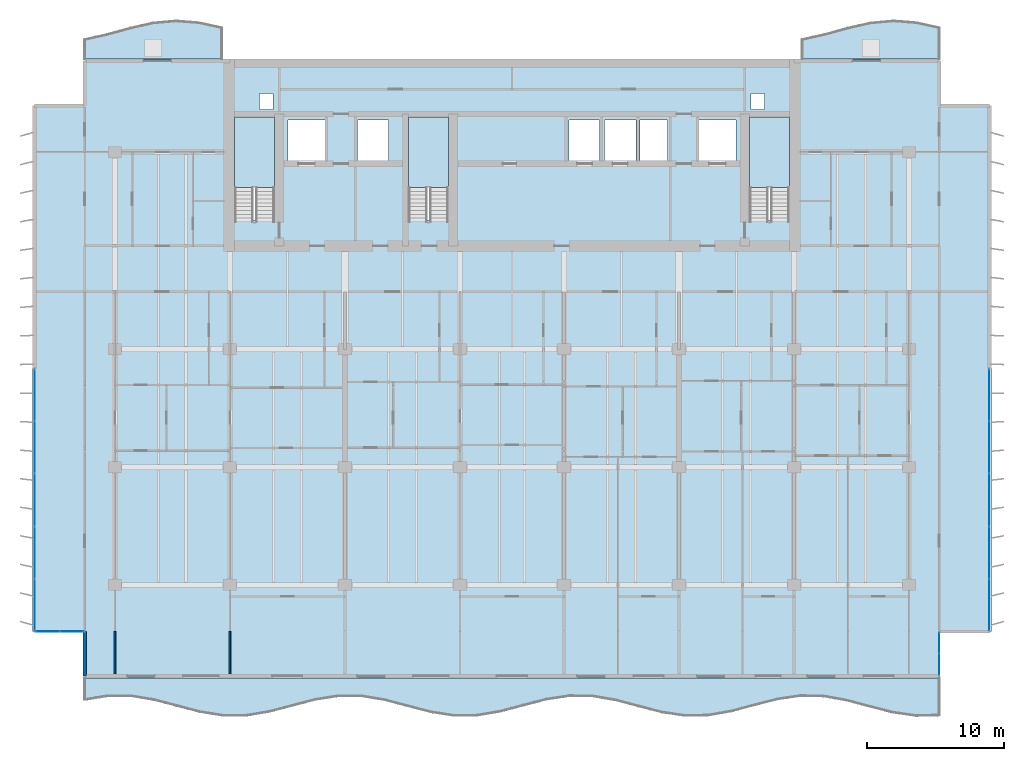
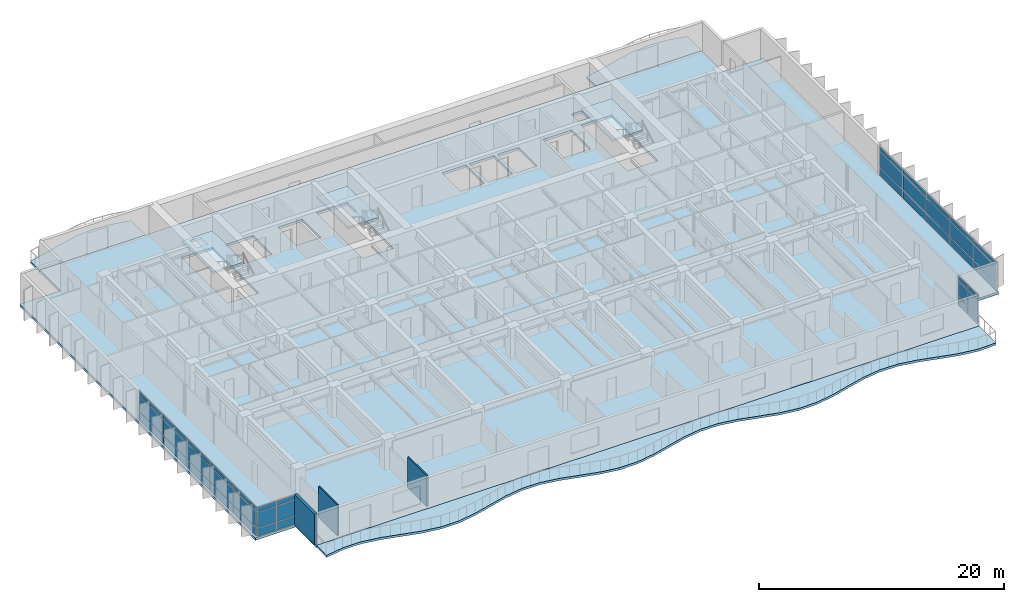
# One storey, part 5 of 19: 42 plates, 7 slabs, 3 walls, 7 elements without a shape of their own.
"""IFC4 building model written with IfcOpenShell, lengths in metres."""

import ifcopenshell
import ifcopenshell.guid

model = None  # the IFC model being written
_history = None  # IfcOwnerHistory: only IFC2X3 demands one
_inside = {}  # id of a spatial element -> (the spatial element, [elements in it])
_under = {}  # id of a project, library or spatial element -> (it, [spatial elements below it])
_declared = {}  # id of a project -> (the project, [libraries it declares])
_typed = {}  # id of a type object -> (the type object, [elements of that type])
_made_of = {}  # id of a material, layer set ... -> (it, [elements and type objects made of it])


def new_model(schema):
    """Start an empty IFC model of exactly this schema.

    Asked for "IFC4X3", IfcOpenShell would pick the latest addendum, in which some entities
    have other attributes; the version numbers below select the first issue.
    IFC2X3 requires an IfcOwnerHistory on every rooted entity: one is made here for all.
    """
    global model, _history
    if schema == "IFC4X3":
        model = ifcopenshell.file(schema_version=(4, 3, 0, 0))
    else:
        model = ifcopenshell.file(schema=schema)
    _inside.clear()
    _under.clear()
    _declared.clear()
    _typed.clear()
    _made_of.clear()
    _history = None
    if model.schema == "IFC2X3":
        org = make("IfcOrganization", Name="unknown")
        user = make(
            "IfcPersonAndOrganization",
            ThePerson=make("IfcPerson", FamilyName="unknown"),
            TheOrganization=org,
        )
        app = make(
            "IfcApplication",
            ApplicationDeveloper=org,
            Version="unknown",
            ApplicationFullName="unknown",
            ApplicationIdentifier="unknown",
        )
        _history = make(
            "IfcOwnerHistory",
            OwningUser=user,
            OwningApplication=app,
            ChangeAction="ADDED",
            CreationDate=0,
        )
    return model


def make(cls, **values):
    """One entity of the class cls with the attributes given. An attribute that is None is left unset."""
    return model.create_entity(
        cls, **{name: value for name, value in values.items() if value is not None}
    )


def rooted(cls, **values):
    """An entity with a GlobalId (a new one), such as an element, a storey or a relation."""
    return make(cls, GlobalId=ifcopenshell.guid.new(), OwnerHistory=_history, **values)


def si_unit(unit_type, name, prefix=None):
    """IfcSIUnit, for example si_unit("LENGTHUNIT", "METRE", prefix="MILLI")."""
    return make("IfcSIUnit", UnitType=unit_type, Prefix=prefix, Name=name)


def assignment(units):
    """IfcUnitAssignment: the units of a project."""
    return None if units is None else make("IfcUnitAssignment", Units=units)


def point(xyz):
    """IfcCartesianPoint."""
    return None if xyz is None else make("IfcCartesianPoint", Coordinates=xyz)


def direction(xyz):
    """IfcDirection."""
    return None if xyz is None else make("IfcDirection", DirectionRatios=xyz)


def frame(location, z_axis=None, x_axis=None):
    """IfcAxis2Placement3D, a coordinate frame: its origin and axes. An axis left out is left unset."""
    return make(
        "IfcAxis2Placement3D",
        Location=point(location),
        Axis=direction(z_axis),
        RefDirection=direction(x_axis),
    )


def frame_2d(location, x_axis=None):
    """IfcAxis2Placement2D, a coordinate frame in the plane: its origin and x axis."""
    return make(
        "IfcAxis2Placement2D", Location=point(location), RefDirection=direction(x_axis)
    )


def origin():
    """The frame at (0, 0, 0) with its axes left unset."""
    return frame((0.0, 0.0, 0.0))


def origin_2d():
    """The frame at (0, 0) in the plane with its x axis left unset."""
    return frame_2d((0.0, 0.0))


def place(relative_to, where):
    """IfcLocalPlacement: puts the frame where relative to a parent placement (None: the world)."""
    return make(
        "IfcLocalPlacement", PlacementRelTo=relative_to, RelativePlacement=where
    )


def context(
    kind, dimensions, precision=None, world=None, true_north=None, identifier=None
):
    """IfcGeometricRepresentationContext, for example the 3D "Model" context."""
    return make(
        "IfcGeometricRepresentationContext",
        ContextIdentifier=identifier,
        ContextType=kind,
        CoordinateSpaceDimension=dimensions,
        Precision=precision,
        WorldCoordinateSystem=world,
        TrueNorth=true_north,
    )


def subcontext(parent, identifier, kind, view, scale=None):
    """IfcGeometricRepresentationSubContext, for example "Body" below "Model"."""
    return make(
        "IfcGeometricRepresentationSubContext",
        ContextIdentifier=identifier,
        ContextType=kind,
        ParentContext=parent,
        TargetScale=scale,
        TargetView=view,
    )


def project(units=None, contexts=None):
    """IfcProject with its units and contexts."""
    return rooted(
        "IfcProject",
        Name="project",
        RepresentationContexts=contexts,
        UnitsInContext=assignment(units),
    )


def spatial(cls, under=None, at=None, **own):
    """A site, building, storey or space (cls), placed at a placement, below another one or the project."""
    s = rooted(cls, ObjectPlacement=at, **own)
    if under is not None:
        _under.setdefault(under.id(), (under, []))[1].append(s)
    return s


def polyline(points):
    """IfcPolyline through the points."""
    return make("IfcPolyline", Points=[point(p) for p in points])


def profile(cls, at=None, kind="AREA", **sizes):
    """A parametric profile (cls). Its sizes go by their IFC names, for example OverallWidth=200.0."""
    return make(cls, ProfileType=kind, Position=at, **sizes)


def rectangle(**sizes):
    """IfcRectangleProfileDef."""
    return profile("IfcRectangleProfileDef", **sizes)


def outline(outer, holes=None, kind="AREA"):
    """IfcArbitraryClosedProfileDef: a profile drawn as a closed curve; with holes, ...WithVoids."""
    if holes is None:
        return make("IfcArbitraryClosedProfileDef", ProfileType=kind, OuterCurve=outer)
    return make(
        "IfcArbitraryProfileDefWithVoids",
        ProfileType=kind,
        OuterCurve=outer,
        InnerCurves=holes,
    )


def extrude(swept, where, along, depth):
    """IfcExtrudedAreaSolid: the profile swept, set in the frame where, extruded along a direction by depth."""
    return make(
        "IfcExtrudedAreaSolid",
        SweptArea=swept,
        Position=where,
        ExtrudedDirection=direction(along),
        Depth=depth,
    )


def shape(context_of_items, identifier, shape_type, items):
    """IfcShapeRepresentation: the items that make up one representation, for example the "Body"."""
    return make(
        "IfcShapeRepresentation",
        ContextOfItems=context_of_items,
        RepresentationIdentifier=identifier,
        RepresentationType=shape_type,
        Items=items,
    )


def material(Name=None, Category=None):
    """IfcMaterial."""
    return make("IfcMaterial", Name=Name, Category=Category)


def layer(
    of_material, thickness, ventilated=None, Name=None, Category=None, Priority=None
):
    """IfcMaterialLayer: one layer of a wall or slab, of a material (None: an air gap)."""
    return make(
        "IfcMaterialLayer",
        Material=of_material,
        LayerThickness=thickness,
        IsVentilated=ventilated,
        Name=Name,
        Category=Category,
        Priority=Priority,
    )


def layer_set(layers, Name=None):
    """IfcMaterialLayerSet."""
    return make("IfcMaterialLayerSet", MaterialLayers=layers, LayerSetName=Name)


def made_of(thing, what):
    """Note that an element or type object is made of a material, layer set ...; save() writes the relation."""
    if what is not None:
        _made_of.setdefault(what.id(), (what, []))[1].append(thing)
    return thing


def type_object(cls, material=None, **own):
    """A type object (cls), such as IfcWallType, which elements share."""
    return made_of(rooted(cls, **own), material)


def element(
    cls,
    number,
    at=None,
    inside=None,
    cuts=None,
    type_object=None,
    material=None,
    context=None,
    identifier="Body",
    shape_type=None,
    held_by="IfcProductDefinitionShape",
    body=None,
    shapes=None,
    **own,
):
    """One element of the class cls, such as IfcWall. Its Tag is "e" and its number.

    at: its placement. inside: the storey or other place that contains it. cuts: it is an
    opening in that element (IfcRelVoidsElement). A single representation is given by context,
    identifier, shape_type and body (its items); several are given by shapes. held_by: the class
    of the entity that holds the representations. save() writes the other relations.
    """
    e = rooted(cls, Tag="e%d" % number, ObjectPlacement=at, **own)
    if body is not None:
        shapes = [shape(context, identifier, shape_type, body)]
    if shapes is not None:
        e.Representation = make(held_by, Representations=shapes)
    if inside is not None:
        _inside.setdefault(inside.id(), (inside, []))[1].append(e)
    if cuts is not None:
        rooted(
            "IfcRelVoidsElement", RelatingBuildingElement=cuts, RelatedOpeningElement=e
        )
    if type_object is not None:
        _typed.setdefault(type_object.id(), (type_object, []))[1].append(e)
    return made_of(e, material)


def aggregate(whole, parts):
    """IfcRelAggregates: a whole, such as a stair, and the parts it consists of."""
    return rooted("IfcRelAggregates", RelatingObject=whole, RelatedObjects=parts)


def save(model, path):
    """Write the relations noted so far, then the file.

    IfcRelAggregates (storeys below a building ...), IfcRelContainedInSpatialStructure (elements
    in a storey), IfcRelDefinesByType, IfcRelAssociatesMaterial and IfcRelDeclares: one each for
    every whole, place, type object, material and project.
    """
    for whole, parts in _under.values():
        aggregate(whole, parts)
    for where, things in _inside.values():
        rooted(
            "IfcRelContainedInSpatialStructure",
            RelatedElements=things,
            RelatingStructure=where,
        )
    for kind, things in _typed.values():
        rooted("IfcRelDefinesByType", RelatedObjects=things, RelatingType=kind)
    for what, things in _made_of.values():
        rooted("IfcRelAssociatesMaterial", RelatedObjects=things, RelatingMaterial=what)
    for by, libraries in _declared.values():
        rooted("IfcRelDeclares", RelatingContext=by, RelatedDefinitions=libraries)
    model.write(path)


model = new_model("IFC4")

# Units and contexts
model_context = context("Model", 3, precision=1e-05, world=origin(), true_north=direction((0.0, 1.0)))
body_context = subcontext(model_context, "Body", "Model", "MODEL_VIEW")
ifc_project = project(units=[si_unit("LENGTHUNIT", "METRE"), si_unit("AREAUNIT", "SQUARE_METRE"), si_unit("VOLUMEUNIT", "CUBIC_METRE"), si_unit("PLANEANGLEUNIT", "RADIAN"), si_unit("MASSUNIT", "GRAM", prefix="KILO")], contexts=[model_context])

# Site, building, storey
site_placement = place(None, origin())
site = spatial("IfcSite", under=ifc_project, at=site_placement, CompositionType="ELEMENT")
building_placement = place(site_placement, origin())
building = spatial("IfcBuilding", under=site, at=building_placement, Name="Caelmar Bay Residences", CompositionType="ELEMENT")
storey_placement = place(building_placement, frame((0.0, 0.0, 115.800048828125)))
storey = spatial("IfcBuildingStorey", under=building, at=storey_placement, Name="L31", CompositionType="ELEMENT", Elevation=115.800048828125)

# Curtain wall, plates
ifc_material_1 = material(Name="Anodised bronze aluminium 6063-T6 and laminated glass", Category="aluminium")
ifc_layer_1 = layer(ifc_material_1, 0.179931640625)
ifc_layer_set_1 = layer_set([ifc_layer_1], Name="Anodised bronze aluminium 6063-T6 and laminated glass")
curtain_wall_type_1 = type_object("IfcCurtainWallType", Name="CW6-NTC", PredefinedType="NOTDEFINED", material=ifc_layer_set_1)
curtain_wall_1_placement = place(storey_placement, origin())
curtain_wall_1 = element("IfcCurtainWall", 1, at=curtain_wall_1_placement, inside=storey, type_object=curtain_wall_type_1, Name="CW6 curtain wall L31", PredefinedType="NOTDEFINED")
ifc_material_2 = material(Name="Bronze-tinted laminated low-E hurricane glass 28 mm", Category="glass")
ifc_layer_2 = layer(ifc_material_2, 0.028076171875)
ifc_layer_set_2 = layer_set([ifc_layer_2], Name="Bronze-tinted laminated low-E hurricane glass 28 mm")
plate_type = type_object("IfcPlateType", Name="CWP-GLZ28", PredefinedType="CURTAIN_PANEL", material=ifc_layer_set_2)
plate_1_placement = place(storey_placement, frame((4.982421875, 8.800048828125, 0.080078125), z_axis=(0.0, 0.0, 1.0), x_axis=(1.0, 0.0, 0.0)))
plate_1 = element("IfcPlate", 2, at=plate_1_placement, type_object=plate_type, Name="CW6 panel 1.1", PredefinedType="CURTAIN_PANEL", context=body_context, shape_type="SweptSolid", body=[
    extrude(rectangle(XDim=1.705078125, YDim=0.028076171875, at=origin_2d()), origin(), (0.0, 0.0, 1.0), 0.780029296875),
])
plate_2_placement = place(storey_placement, frame((4.982421875, 8.800048828125, 0.93994140625), z_axis=(0.0, 0.0, 1.0), x_axis=(1.0, 0.0, 0.0)))
plate_2 = element("IfcPlate", 3, at=plate_2_placement, type_object=plate_type, Name="CW6 panel 1.2", PredefinedType="CURTAIN_PANEL", context=body_context, shape_type="SweptSolid", body=[
    extrude(rectangle(XDim=1.705078125, YDim=0.028076171875, at=origin_2d()), origin(), (0.0, 0.0, 1.0), 1.52001953125),
])
plate_3_placement = place(storey_placement, frame((4.982421875, 8.800048828125, 2.5400390625), z_axis=(0.0, 0.0, 1.0), x_axis=(1.0, 0.0, 0.0)))
plate_3 = element("IfcPlate", 4, at=plate_3_placement, type_object=plate_type, Name="CW6 panel 1.3", PredefinedType="CURTAIN_PANEL", context=body_context, shape_type="SweptSolid", body=[
    extrude(rectangle(XDim=1.705078125, YDim=0.028076171875, at=origin_2d()), origin(), (0.0, 0.0, 1.0), 0.429931640625),
])
plate_4_placement = place(storey_placement, frame((6.767578125, 8.800048828125, 0.080078125), z_axis=(0.0, 0.0, 1.0), x_axis=(1.0, 0.0, 0.0)))
plate_4 = element("IfcPlate", 5, at=plate_4_placement, type_object=plate_type, Name="CW6 panel 2.1", PredefinedType="CURTAIN_PANEL", context=body_context, shape_type="SweptSolid", body=[
    extrude(rectangle(XDim=1.705078125, YDim=0.028076171875, at=origin_2d()), origin(), (0.0, 0.0, 1.0), 0.780029296875),
])
plate_5_placement = place(storey_placement, frame((6.767578125, 8.800048828125, 0.93994140625), z_axis=(0.0, 0.0, 1.0), x_axis=(1.0, 0.0, 0.0)))
plate_5 = element("IfcPlate", 6, at=plate_5_placement, type_object=plate_type, Name="CW6 panel 2.2", PredefinedType="CURTAIN_PANEL", context=body_context, shape_type="SweptSolid", body=[
    extrude(rectangle(XDim=1.705078125, YDim=0.028076171875, at=origin_2d()), origin(), (0.0, 0.0, 1.0), 1.52001953125),
])
plate_6_placement = place(storey_placement, frame((6.767578125, 8.800048828125, 2.5400390625), z_axis=(0.0, 0.0, 1.0), x_axis=(1.0, 0.0, 0.0)))
plate_6 = element("IfcPlate", 7, at=plate_6_placement, type_object=plate_type, Name="CW6 panel 2.3", PredefinedType="CURTAIN_PANEL", context=body_context, shape_type="SweptSolid", body=[
    extrude(rectangle(XDim=1.705078125, YDim=0.028076171875, at=origin_2d()), origin(), (0.0, 0.0, 1.0), 0.429931640625),
])
aggregate(curtain_wall_1, [plate_1, plate_2, plate_3, plate_4, plate_5, plate_6])

curtain_wall_2_placement = place(storey_placement, origin())
curtain_wall_2 = element("IfcCurtainWall", 8, at=curtain_wall_2_placement, inside=storey, type_object=curtain_wall_type_1, Name="CW6 curtain wall L31", PredefinedType="NOTDEFINED")
plate_7_placement = place(storey_placement, frame((70.10009765625, 6.382568359375, 0.080078125), z_axis=(0.0, 0.0, 1.0), x_axis=(0.0, 1.0, 0.0)))
plate_7 = element("IfcPlate", 9, at=plate_7_placement, type_object=plate_type, Name="CW6 panel 1.1", PredefinedType="CURTAIN_PANEL", context=body_context, shape_type="SweptSolid", body=[
    extrude(rectangle(XDim=1.5048828125, YDim=0.028076171875, at=origin_2d()), origin(), (0.0, 0.0, 1.0), 0.780029296875),
])
plate_8_placement = place(storey_placement, frame((70.10009765625, 6.382568359375, 0.93994140625), z_axis=(0.0, 0.0, 1.0), x_axis=(0.0, 1.0, 0.0)))
plate_8 = element("IfcPlate", 10, at=plate_8_placement, type_object=plate_type, Name="CW6 panel 1.2", PredefinedType="CURTAIN_PANEL", context=body_context, shape_type="SweptSolid", body=[
    extrude(rectangle(XDim=1.5048828125, YDim=0.028076171875, at=origin_2d()), origin(), (0.0, 0.0, 1.0), 1.52001953125),
])
plate_9_placement = place(storey_placement, frame((70.10009765625, 6.382568359375, 2.5400390625), z_axis=(0.0, 0.0, 1.0), x_axis=(0.0, 1.0, 0.0)))
plate_9 = element("IfcPlate", 11, at=plate_9_placement, type_object=plate_type, Name="CW6 panel 1.3", PredefinedType="CURTAIN_PANEL", context=body_context, shape_type="SweptSolid", body=[
    extrude(rectangle(XDim=1.5048828125, YDim=0.028076171875, at=origin_2d()), origin(), (0.0, 0.0, 1.0), 0.429931640625),
])
plate_10_placement = place(storey_placement, frame((70.10009765625, 7.967529296875, 0.080078125), z_axis=(0.0, 0.0, 1.0), x_axis=(0.0, 1.0, 0.0)))
plate_10 = element("IfcPlate", 12, at=plate_10_placement, type_object=plate_type, Name="CW6 panel 2.1", PredefinedType="CURTAIN_PANEL", context=body_context, shape_type="SweptSolid", body=[
    extrude(rectangle(XDim=1.5048828125, YDim=0.028076171875, at=origin_2d()), origin(), (0.0, 0.0, 1.0), 0.780029296875),
])
plate_11_placement = place(storey_placement, frame((70.10009765625, 7.967529296875, 0.93994140625), z_axis=(0.0, 0.0, 1.0), x_axis=(0.0, 1.0, 0.0)))
plate_11 = element("IfcPlate", 13, at=plate_11_placement, type_object=plate_type, Name="CW6 panel 2.2", PredefinedType="CURTAIN_PANEL", context=body_context, shape_type="SweptSolid", body=[
    extrude(rectangle(XDim=1.5048828125, YDim=0.028076171875, at=origin_2d()), origin(), (0.0, 0.0, 1.0), 1.52001953125),
])
plate_12_placement = place(storey_placement, frame((70.10009765625, 7.967529296875, 2.5400390625), z_axis=(0.0, 0.0, 1.0), x_axis=(0.0, 1.0, 0.0)))
plate_12 = element("IfcPlate", 14, at=plate_12_placement, type_object=plate_type, Name="CW6 panel 2.3", PredefinedType="CURTAIN_PANEL", context=body_context, shape_type="SweptSolid", body=[
    extrude(rectangle(XDim=1.5048828125, YDim=0.028076171875, at=origin_2d()), origin(), (0.0, 0.0, 1.0), 0.429931640625),
])
aggregate(curtain_wall_2, [plate_7, plate_8, plate_9, plate_10, plate_11, plate_12])

ifc_layer_3 = layer(ifc_material_1, 0.179931640625)
ifc_layer_set_3 = layer_set([ifc_layer_3], Name="Anodised bronze aluminium 6063-T6 and laminated glass")
curtain_wall_type_2 = type_object("IfcCurtainWallType", Name="CW3-Z2", PredefinedType="NOTDEFINED", material=ifc_layer_set_3)
curtain_wall_3_placement = place(storey_placement, origin())
curtain_wall_3 = element("IfcCurtainWall", 15, at=curtain_wall_3_placement, inside=storey, type_object=curtain_wall_type_2, Name="CW3 curtain wall L31", PredefinedType="NOTDEFINED")
plate_13_placement = place(storey_placement, frame((4.050048828125, 10.739990234375, 0.080078125), z_axis=(0.0, 0.0, 1.0), x_axis=(0.0, 1.0, 0.0)))
plate_13 = element("IfcPlate", 16, at=plate_13_placement, type_object=plate_type, Name="CW3 panel 1.1", PredefinedType="CURTAIN_PANEL", context=body_context, shape_type="SweptSolid", body=[
    extrude(rectangle(XDim=3.719970703125, YDim=0.028076171875, at=origin_2d()), origin(), (0.0, 0.0, 1.0), 0.780029296875),
])
plate_14_placement = place(storey_placement, frame((4.050048828125, 10.739990234375, 0.93994140625), z_axis=(0.0, 0.0, 1.0), x_axis=(0.0, 1.0, 0.0)))
plate_14 = element("IfcPlate", 17, at=plate_14_placement, type_object=plate_type, Name="CW3 panel 1.2", PredefinedType="CURTAIN_PANEL", context=body_context, shape_type="SweptSolid", body=[
    extrude(rectangle(XDim=3.719970703125, YDim=0.028076171875, at=origin_2d()), origin(), (0.0, 0.0, 1.0), 1.52001953125),
])
plate_15_placement = place(storey_placement, frame((4.050048828125, 10.739990234375, 2.5400390625), z_axis=(0.0, 0.0, 1.0), x_axis=(0.0, 1.0, 0.0)))
plate_15 = element("IfcPlate", 18, at=plate_15_placement, type_object=plate_type, Name="CW3 panel 1.3", PredefinedType="CURTAIN_PANEL", context=body_context, shape_type="SweptSolid", body=[
    extrude(rectangle(XDim=3.719970703125, YDim=0.028076171875, at=origin_2d()), origin(), (0.0, 0.0, 1.0), 0.429931640625),
])
plate_16_placement = place(storey_placement, frame((4.050048828125, 14.56005859375, 0.080078125), z_axis=(0.0, 0.0, 1.0), x_axis=(0.0, 1.0, 0.0)))
plate_16 = element("IfcPlate", 19, at=plate_16_placement, type_object=plate_type, Name="CW3 panel 2.1", PredefinedType="CURTAIN_PANEL", context=body_context, shape_type="SweptSolid", body=[
    extrude(rectangle(XDim=3.760009765625, YDim=0.028076171875, at=origin_2d()), origin(), (0.0, 0.0, 1.0), 0.780029296875),
])
plate_17_placement = place(storey_placement, frame((4.050048828125, 14.56005859375, 0.93994140625), z_axis=(0.0, 0.0, 1.0), x_axis=(0.0, 1.0, 0.0)))
plate_17 = element("IfcPlate", 20, at=plate_17_placement, type_object=plate_type, Name="CW3 panel 2.2", PredefinedType="CURTAIN_PANEL", context=body_context, shape_type="SweptSolid", body=[
    extrude(rectangle(XDim=3.760009765625, YDim=0.028076171875, at=origin_2d()), origin(), (0.0, 0.0, 1.0), 1.52001953125),
])
plate_18_placement = place(storey_placement, frame((4.050048828125, 14.56005859375, 2.5400390625), z_axis=(0.0, 0.0, 1.0), x_axis=(0.0, 1.0, 0.0)))
plate_18 = element("IfcPlate", 21, at=plate_18_placement, type_object=plate_type, Name="CW3 panel 2.3", PredefinedType="CURTAIN_PANEL", context=body_context, shape_type="SweptSolid", body=[
    extrude(rectangle(XDim=3.760009765625, YDim=0.028076171875, at=origin_2d()), origin(), (0.0, 0.0, 1.0), 0.429931640625),
])
plate_19_placement = place(storey_placement, frame((4.050048828125, 18.39990234375, 0.080078125), z_axis=(0.0, 0.0, 1.0), x_axis=(0.0, 1.0, 0.0)))
plate_19 = element("IfcPlate", 22, at=plate_19_placement, type_object=plate_type, Name="CW3 panel 3.1", PredefinedType="CURTAIN_PANEL", context=body_context, shape_type="SweptSolid", body=[
    extrude(rectangle(XDim=3.760009765625, YDim=0.028076171875, at=origin_2d()), origin(), (0.0, 0.0, 1.0), 0.780029296875),
])
plate_20_placement = place(storey_placement, frame((4.050048828125, 18.39990234375, 0.93994140625), z_axis=(0.0, 0.0, 1.0), x_axis=(0.0, 1.0, 0.0)))
plate_20 = element("IfcPlate", 23, at=plate_20_placement, type_object=plate_type, Name="CW3 panel 3.2", PredefinedType="CURTAIN_PANEL", context=body_context, shape_type="SweptSolid", body=[
    extrude(rectangle(XDim=3.760009765625, YDim=0.028076171875, at=origin_2d()), origin(), (0.0, 0.0, 1.0), 1.52001953125),
])
plate_21_placement = place(storey_placement, frame((4.050048828125, 18.39990234375, 2.5400390625), z_axis=(0.0, 0.0, 1.0), x_axis=(0.0, 1.0, 0.0)))
plate_21 = element("IfcPlate", 24, at=plate_21_placement, type_object=plate_type, Name="CW3 panel 3.3", PredefinedType="CURTAIN_PANEL", context=body_context, shape_type="SweptSolid", body=[
    extrude(rectangle(XDim=3.760009765625, YDim=0.028076171875, at=origin_2d()), origin(), (0.0, 0.0, 1.0), 0.429931640625),
])
plate_22_placement = place(storey_placement, frame((4.050048828125, 22.239990234375, 0.080078125), z_axis=(0.0, 0.0, 1.0), x_axis=(0.0, 1.0, 0.0)))
plate_22 = element("IfcPlate", 25, at=plate_22_placement, type_object=plate_type, Name="CW3 panel 4.1", PredefinedType="CURTAIN_PANEL", context=body_context, shape_type="SweptSolid", body=[
    extrude(rectangle(XDim=3.760009765625, YDim=0.028076171875, at=origin_2d()), origin(), (0.0, 0.0, 1.0), 0.780029296875),
])
plate_23_placement = place(storey_placement, frame((4.050048828125, 22.239990234375, 0.93994140625), z_axis=(0.0, 0.0, 1.0), x_axis=(0.0, 1.0, 0.0)))
plate_23 = element("IfcPlate", 26, at=plate_23_placement, type_object=plate_type, Name="CW3 panel 4.2", PredefinedType="CURTAIN_PANEL", context=body_context, shape_type="SweptSolid", body=[
    extrude(rectangle(XDim=3.760009765625, YDim=0.028076171875, at=origin_2d()), origin(), (0.0, 0.0, 1.0), 1.52001953125),
])
plate_24_placement = place(storey_placement, frame((4.050048828125, 22.239990234375, 2.5400390625), z_axis=(0.0, 0.0, 1.0), x_axis=(0.0, 1.0, 0.0)))
plate_24 = element("IfcPlate", 27, at=plate_24_placement, type_object=plate_type, Name="CW3 panel 4.3", PredefinedType="CURTAIN_PANEL", context=body_context, shape_type="SweptSolid", body=[
    extrude(rectangle(XDim=3.760009765625, YDim=0.028076171875, at=origin_2d()), origin(), (0.0, 0.0, 1.0), 0.429931640625),
])
plate_25_placement = place(storey_placement, frame((4.050048828125, 26.06005859375, 0.080078125), z_axis=(0.0, 0.0, 1.0), x_axis=(0.0, 1.0, 0.0)))
plate_25 = element("IfcPlate", 28, at=plate_25_placement, type_object=plate_type, Name="CW3 panel 5.1", PredefinedType="CURTAIN_PANEL", context=body_context, shape_type="SweptSolid", body=[
    extrude(rectangle(XDim=3.719970703125, YDim=0.028076171875, at=origin_2d()), origin(), (0.0, 0.0, 1.0), 0.780029296875),
])
plate_26_placement = place(storey_placement, frame((4.050048828125, 26.06005859375, 0.93994140625), z_axis=(0.0, 0.0, 1.0), x_axis=(0.0, 1.0, 0.0)))
plate_26 = element("IfcPlate", 29, at=plate_26_placement, type_object=plate_type, Name="CW3 panel 5.2", PredefinedType="CURTAIN_PANEL", context=body_context, shape_type="SweptSolid", body=[
    extrude(rectangle(XDim=3.719970703125, YDim=0.028076171875, at=origin_2d()), origin(), (0.0, 0.0, 1.0), 1.52001953125),
])
plate_27_placement = place(storey_placement, frame((4.050048828125, 26.06005859375, 2.5400390625), z_axis=(0.0, 0.0, 1.0), x_axis=(0.0, 1.0, 0.0)))
plate_27 = element("IfcPlate", 30, at=plate_27_placement, type_object=plate_type, Name="CW3 panel 5.3", PredefinedType="CURTAIN_PANEL", context=body_context, shape_type="SweptSolid", body=[
    extrude(rectangle(XDim=3.719970703125, YDim=0.028076171875, at=origin_2d()), origin(), (0.0, 0.0, 1.0), 0.429931640625),
])
aggregate(curtain_wall_3, [plate_13, plate_14, plate_15, plate_16, plate_17, plate_18, plate_19, plate_20, plate_21, plate_22, plate_23, plate_24, plate_25, plate_26, plate_27])

curtain_wall_4_placement = place(storey_placement, origin())
curtain_wall_4 = element("IfcCurtainWall", 31, at=curtain_wall_4_placement, inside=storey, type_object=curtain_wall_type_2, Name="CW3 curtain wall L31", PredefinedType="NOTDEFINED")
plate_28_placement = place(storey_placement, frame((73.75, 26.06005859375, 0.080078125), z_axis=(0.0, 0.0, 1.0), x_axis=(0.0, -1.0, 0.0)))
plate_28 = element("IfcPlate", 32, at=plate_28_placement, type_object=plate_type, Name="CW3 panel 1.1", PredefinedType="CURTAIN_PANEL", context=body_context, shape_type="SweptSolid", body=[
    extrude(rectangle(XDim=3.719970703125, YDim=0.028076171875, at=origin_2d()), origin(), (0.0, 0.0, 1.0), 0.780029296875),
])
plate_29_placement = place(storey_placement, frame((73.75, 26.06005859375, 0.93994140625), z_axis=(0.0, 0.0, 1.0), x_axis=(0.0, -1.0, 0.0)))
plate_29 = element("IfcPlate", 33, at=plate_29_placement, type_object=plate_type, Name="CW3 panel 1.2", PredefinedType="CURTAIN_PANEL", context=body_context, shape_type="SweptSolid", body=[
    extrude(rectangle(XDim=3.719970703125, YDim=0.028076171875, at=origin_2d()), origin(), (0.0, 0.0, 1.0), 1.52001953125),
])
plate_30_placement = place(storey_placement, frame((73.75, 26.06005859375, 2.5400390625), z_axis=(0.0, 0.0, 1.0), x_axis=(0.0, -1.0, 0.0)))
plate_30 = element("IfcPlate", 34, at=plate_30_placement, type_object=plate_type, Name="CW3 panel 1.3", PredefinedType="CURTAIN_PANEL", context=body_context, shape_type="SweptSolid", body=[
    extrude(rectangle(XDim=3.719970703125, YDim=0.028076171875, at=origin_2d()), origin(), (0.0, 0.0, 1.0), 0.429931640625),
])
plate_31_placement = place(storey_placement, frame((73.75, 22.239990234375, 0.080078125), z_axis=(0.0, 0.0, 1.0), x_axis=(0.0, -1.0, 0.0)))
plate_31 = element("IfcPlate", 35, at=plate_31_placement, type_object=plate_type, Name="CW3 panel 2.1", PredefinedType="CURTAIN_PANEL", context=body_context, shape_type="SweptSolid", body=[
    extrude(rectangle(XDim=3.760009765625, YDim=0.028076171875, at=origin_2d()), origin(), (0.0, 0.0, 1.0), 0.780029296875),
])
plate_32_placement = place(storey_placement, frame((73.75, 22.239990234375, 0.93994140625), z_axis=(0.0, 0.0, 1.0), x_axis=(0.0, -1.0, 0.0)))
plate_32 = element("IfcPlate", 36, at=plate_32_placement, type_object=plate_type, Name="CW3 panel 2.2", PredefinedType="CURTAIN_PANEL", context=body_context, shape_type="SweptSolid", body=[
    extrude(rectangle(XDim=3.760009765625, YDim=0.028076171875, at=origin_2d()), origin(), (0.0, 0.0, 1.0), 1.52001953125),
])
plate_33_placement = place(storey_placement, frame((73.75, 22.239990234375, 2.5400390625), z_axis=(0.0, 0.0, 1.0), x_axis=(0.0, -1.0, 0.0)))
plate_33 = element("IfcPlate", 37, at=plate_33_placement, type_object=plate_type, Name="CW3 panel 2.3", PredefinedType="CURTAIN_PANEL", context=body_context, shape_type="SweptSolid", body=[
    extrude(rectangle(XDim=3.760009765625, YDim=0.028076171875, at=origin_2d()), origin(), (0.0, 0.0, 1.0), 0.429931640625),
])
plate_34_placement = place(storey_placement, frame((73.75, 18.39990234375, 0.080078125), z_axis=(0.0, 0.0, 1.0), x_axis=(0.0, -1.0, 0.0)))
plate_34 = element("IfcPlate", 38, at=plate_34_placement, type_object=plate_type, Name="CW3 panel 3.1", PredefinedType="CURTAIN_PANEL", context=body_context, shape_type="SweptSolid", body=[
    extrude(rectangle(XDim=3.760009765625, YDim=0.028076171875, at=origin_2d()), origin(), (0.0, 0.0, 1.0), 0.780029296875),
])
plate_35_placement = place(storey_placement, frame((73.75, 18.39990234375, 0.93994140625), z_axis=(0.0, 0.0, 1.0), x_axis=(0.0, -1.0, 0.0)))
plate_35 = element("IfcPlate", 39, at=plate_35_placement, type_object=plate_type, Name="CW3 panel 3.2", PredefinedType="CURTAIN_PANEL", context=body_context, shape_type="SweptSolid", body=[
    extrude(rectangle(XDim=3.760009765625, YDim=0.028076171875, at=origin_2d()), origin(), (0.0, 0.0, 1.0), 1.52001953125),
])
plate_36_placement = place(storey_placement, frame((73.75, 18.39990234375, 2.5400390625), z_axis=(0.0, 0.0, 1.0), x_axis=(0.0, -1.0, 0.0)))
plate_36 = element("IfcPlate", 40, at=plate_36_placement, type_object=plate_type, Name="CW3 panel 3.3", PredefinedType="CURTAIN_PANEL", context=body_context, shape_type="SweptSolid", body=[
    extrude(rectangle(XDim=3.760009765625, YDim=0.028076171875, at=origin_2d()), origin(), (0.0, 0.0, 1.0), 0.429931640625),
])
plate_37_placement = place(storey_placement, frame((73.75, 14.56005859375, 0.080078125), z_axis=(0.0, 0.0, 1.0), x_axis=(0.0, -1.0, 0.0)))
plate_37 = element("IfcPlate", 41, at=plate_37_placement, type_object=plate_type, Name="CW3 panel 4.1", PredefinedType="CURTAIN_PANEL", context=body_context, shape_type="SweptSolid", body=[
    extrude(rectangle(XDim=3.760009765625, YDim=0.028076171875, at=origin_2d()), origin(), (0.0, 0.0, 1.0), 0.780029296875),
])
plate_38_placement = place(storey_placement, frame((73.75, 14.56005859375, 0.93994140625), z_axis=(0.0, 0.0, 1.0), x_axis=(0.0, -1.0, 0.0)))
plate_38 = element("IfcPlate", 42, at=plate_38_placement, type_object=plate_type, Name="CW3 panel 4.2", PredefinedType="CURTAIN_PANEL", context=body_context, shape_type="SweptSolid", body=[
    extrude(rectangle(XDim=3.760009765625, YDim=0.028076171875, at=origin_2d()), origin(), (0.0, 0.0, 1.0), 1.52001953125),
])
plate_39_placement = place(storey_placement, frame((73.75, 14.56005859375, 2.5400390625), z_axis=(0.0, 0.0, 1.0), x_axis=(0.0, -1.0, 0.0)))
plate_39 = element("IfcPlate", 43, at=plate_39_placement, type_object=plate_type, Name="CW3 panel 4.3", PredefinedType="CURTAIN_PANEL", context=body_context, shape_type="SweptSolid", body=[
    extrude(rectangle(XDim=3.760009765625, YDim=0.028076171875, at=origin_2d()), origin(), (0.0, 0.0, 1.0), 0.429931640625),
])
plate_40_placement = place(storey_placement, frame((73.75, 10.739990234375, 0.080078125), z_axis=(0.0, 0.0, 1.0), x_axis=(0.0, -1.0, 0.0)))
plate_40 = element("IfcPlate", 44, at=plate_40_placement, type_object=plate_type, Name="CW3 panel 5.1", PredefinedType="CURTAIN_PANEL", context=body_context, shape_type="SweptSolid", body=[
    extrude(rectangle(XDim=3.719970703125, YDim=0.028076171875, at=origin_2d()), origin(), (0.0, 0.0, 1.0), 0.780029296875),
])
plate_41_placement = place(storey_placement, frame((73.75, 10.739990234375, 0.93994140625), z_axis=(0.0, 0.0, 1.0), x_axis=(0.0, -1.0, 0.0)))
plate_41 = element("IfcPlate", 45, at=plate_41_placement, type_object=plate_type, Name="CW3 panel 5.2", PredefinedType="CURTAIN_PANEL", context=body_context, shape_type="SweptSolid", body=[
    extrude(rectangle(XDim=3.719970703125, YDim=0.028076171875, at=origin_2d()), origin(), (0.0, 0.0, 1.0), 1.52001953125),
])
plate_42_placement = place(storey_placement, frame((73.75, 10.739990234375, 2.5400390625), z_axis=(0.0, 0.0, 1.0), x_axis=(0.0, -1.0, 0.0)))
plate_42 = element("IfcPlate", 46, at=plate_42_placement, type_object=plate_type, Name="CW3 panel 5.3", PredefinedType="CURTAIN_PANEL", context=body_context, shape_type="SweptSolid", body=[
    extrude(rectangle(XDim=3.719970703125, YDim=0.028076171875, at=origin_2d()), origin(), (0.0, 0.0, 1.0), 0.429931640625),
])
aggregate(curtain_wall_4, [plate_28, plate_29, plate_30, plate_31, plate_32, plate_33, plate_34, plate_35, plate_36, plate_37, plate_38, plate_39, plate_40, plate_41, plate_42])

# Slabs
ifc_material_3 = material(Name="Concrete f'c 40 MPa (6,000 psi)", Category="concrete")
ifc_layer_4 = layer(ifc_material_3, 0.219970703125)
ifc_layer_set_4 = layer_set([ifc_layer_4], Name="Concrete f'c 40 MPa (6,000 psi)")
slab_type_1 = type_object("IfcSlabType", Name="SLB-BAL-220", PredefinedType="FLOOR", material=ifc_layer_set_4)
slab_1_placement = place(storey_placement, frame((0.0, 0.0, -0.219970703125)))
element("IfcSlab", 47, at=slab_1_placement, inside=storey, type_object=slab_type_1, Name="L31 Sinusoidal Tree-Balcony Slab south", PredefinedType="FLOOR", context=body_context, shape_type="SweptSolid", body=[
    extrude(outline(polyline([(7.699951171875, 3.74072265625), (9.386474609375, 4.013916015625), (11.072998046875, 4.01220703125), (12.759521484375, 3.736328125), (14.44580078125, 3.292724609375), (16.13232421875, 2.851806640625), (17.81884765625, 2.58349609375), (19.50537109375, 2.5908203125), (21.19189453125, 2.87109375), (22.87841796875, 3.31640625), (24.56494140625, 3.75537109375), (26.25146484375, 4.019287109375), (27.937744140625, 4.006103515625), (29.624267578125, 3.721435546875), (31.310791015625, 3.2744140625), (32.997314453125, 2.83740234375), (34.683837890625, 2.578369140625), (36.370361328125, 2.596923828125), (38.056884765625, 2.885986328125), (39.7431640625, 3.33447265625), (41.4296875, 3.769775390625), (43.1162109375, 4.024169921875), (44.802734375, 4.0), (46.4892578125, 3.706298828125), (48.17578125, 3.25634765625), (49.8623046875, 2.8232421875), (51.548583984375, 2.573486328125), (53.235107421875, 2.603515625), (54.921630859375, 2.9013671875), (56.608154296875, 3.352783203125), (58.294677734375, 3.78369140625), (59.981201171875, 4.02880859375), (61.66748046875, 3.9931640625), (63.35400390625, 3.69091796875), (65.04052734375, 3.23828125), (66.72705078125, 2.809326171875), (68.41357421875, 2.569091796875), (70.10009765625, 2.6103515625), (70.10009765625, 5.39990234375), (7.699951171875, 5.39990234375), (7.699951171875, 3.74072265625)])), origin(), (0.0, 0.0, 1.0), 0.219970703125),
])
slab_2_placement = place(storey_placement, frame((0.0, 0.0, -0.219970703125)))
element("IfcSlab", 48, at=slab_2_placement, inside=storey, type_object=slab_type_1, Name="L31 Sinusoidal Tree-Balcony Slab north_west", PredefinedType="FLOOR", context=body_context, shape_type="SweptSolid", body=[
    extrude(outline(polyline([(7.699951171875, 50.60009765625), (17.699951171875, 50.60009765625), (17.699951171875, 52.952880859375), (16.033203125, 53.317626953125), (14.36669921875, 53.449951171875), (12.699951171875, 53.300048828125), (11.033203125, 52.924560546875), (9.36669921875, 52.464599609375), (7.699951171875, 52.09326171875), (7.699951171875, 50.60009765625)])), origin(), (0.0, 0.0, 1.0), 0.219970703125),
])
slab_3_placement = place(storey_placement, frame((0.0, 0.0, -0.219970703125)))
element("IfcSlab", 49, at=slab_3_placement, inside=storey, type_object=slab_type_1, Name="L31 Sinusoidal Tree-Balcony Slab north_east", PredefinedType="FLOOR", context=body_context, shape_type="SweptSolid", body=[
    extrude(outline(polyline([(60.10009765625, 50.60009765625), (70.10009765625, 50.60009765625), (70.10009765625, 52.952880859375), (68.433349609375, 53.317626953125), (66.7666015625, 53.449951171875), (65.10009765625, 53.300048828125), (63.433349609375, 52.924560546875), (61.7666015625, 52.464599609375), (60.10009765625, 52.09326171875), (60.10009765625, 50.60009765625)])), origin(), (0.0, 0.0, 1.0), 0.219970703125),
])

# Stair, slab
stair_type = type_object("IfcStairType", Name="ST-TYP-165", PredefinedType="HALF_TURN_STAIR", material=ifc_material_3)
stair_1_placement = place(storey_placement, origin())
stair_1 = element("IfcStair", 50, at=stair_1_placement, inside=storey, type_object=stair_type, Name="L31 West Smokeproof Exit Stair ST1", PredefinedType="HALF_TURN_STAIR")
ifc_layer_5 = layer(ifc_material_3, 0.199951171875)
ifc_layer_set_5 = layer_set([ifc_layer_5], Name="Concrete f'c 40 MPa (6,000 psi)")
slab_type_2 = type_object("IfcSlabType", Name="SLB-LND-200", PredefinedType="LANDING", material=ifc_layer_set_5)
slab_4_placement = place(storey_placement, frame((0.0, 0.0, 1.449951171875)))
slab_4 = element("IfcSlab", 51, at=slab_4_placement, type_object=slab_type_2, Name="ST1 landing 1", PredefinedType="LANDING", context=body_context, shape_type="SweptSolid", body=[
    extrude(outline(polyline([(21.550048828125, 41.219970703125), (21.550048828125, 46.35009765625), (18.64990234375, 46.35009765625), (18.64990234375, 41.219970703125), (21.550048828125, 41.219970703125)])), origin(), (0.0, 0.0, 1.0), 0.199951171875),
])
aggregate(stair_1, [slab_4])

stair_2_placement = place(storey_placement, origin())
stair_2 = element("IfcStair", 52, at=stair_2_placement, inside=storey, type_object=stair_type, Name="L31 East Smokeproof Exit Stair ST2", PredefinedType="HALF_TURN_STAIR")
slab_5_placement = place(storey_placement, frame((0.0, 0.0, 1.449951171875)))
slab_5 = element("IfcSlab", 53, at=slab_5_placement, type_object=slab_type_2, Name="ST2 landing 1", PredefinedType="LANDING", context=body_context, shape_type="SweptSolid", body=[
    extrude(outline(polyline([(59.14990234375, 41.219970703125), (59.14990234375, 46.35009765625), (56.25, 46.35009765625), (56.25, 41.219970703125), (59.14990234375, 41.219970703125)])), origin(), (0.0, 0.0, 1.0), 0.199951171875),
])
aggregate(stair_2, [slab_5])

stair_3_placement = place(storey_placement, origin())
stair_3 = element("IfcStair", 54, at=stair_3_placement, inside=storey, type_object=stair_type, Name="L31 Central Smokeproof Exit Stair ST3", PredefinedType="HALF_TURN_STAIR")
slab_6_placement = place(storey_placement, frame((0.0, 0.0, 1.449951171875)))
slab_6 = element("IfcSlab", 55, at=slab_6_placement, type_object=slab_type_2, Name="ST3 landing 1", PredefinedType="LANDING", context=body_context, shape_type="SweptSolid", body=[
    extrude(outline(polyline([(34.25, 41.219970703125), (34.25, 46.35009765625), (31.35009765625, 46.35009765625), (31.35009765625, 41.219970703125), (34.25, 41.219970703125)])), origin(), (0.0, 0.0, 1.0), 0.199951171875),
])
aggregate(stair_3, [slab_6])

# Slab
ifc_layer_6 = layer(ifc_material_3, 0.25)
ifc_layer_set_6 = layer_set([ifc_layer_6], Name="Concrete f'c 40 MPa (6,000 psi)")
slab_type_3 = type_object("IfcSlabType", Name="SLB-RES-250", PredefinedType="FLOOR", material=ifc_layer_set_6)
slab_7_placement = place(storey_placement, frame((0.0, 0.0, -0.25)))
element("IfcSlab", 56, at=slab_7_placement, inside=storey, type_object=slab_type_3, Name="L31 Structural Floor Slab", PredefinedType="FLOOR", context=body_context, shape_type="SweptSolid", body=[
    extrude(outline(polyline([(7.699951171875, 5.39990234375), (70.10009765625, 5.39990234375), (70.10009765625, 8.800048828125), (73.89990234375, 8.800048828125), (73.89990234375, 47.199951171875), (70.10009765625, 47.199951171875), (70.10009765625, 50.60009765625), (7.699951171875, 50.60009765625), (7.699951171875, 47.199951171875), (3.89990234375, 47.199951171875), (3.89990234375, 8.800048828125), (7.699951171875, 8.800048828125), (7.699951171875, 5.39990234375)]), holes=[polyline([(18.64990234375, 38.85009765625), (21.550048828125, 38.85009765625), (21.550048828125, 46.35009765625), (18.64990234375, 46.35009765625), (18.64990234375, 38.85009765625)]), polyline([(56.25, 38.85009765625), (59.14990234375, 38.85009765625), (59.14990234375, 46.35009765625), (56.25, 46.35009765625), (56.25, 38.85009765625)]), polyline([(31.35009765625, 38.85009765625), (34.25, 38.85009765625), (34.25, 46.35009765625), (31.35009765625, 46.35009765625), (31.35009765625, 38.85009765625)]), polyline([(22.550048828125, 43.050048828125), (25.25, 43.050048828125), (25.25, 46.14990234375), (22.550048828125, 46.14990234375), (22.550048828125, 43.050048828125)]), polyline([(52.550048828125, 43.050048828125), (55.25, 43.050048828125), (55.25, 46.14990234375), (52.550048828125, 46.14990234375), (52.550048828125, 43.050048828125)]), polyline([(43.050048828125, 43.14990234375), (45.300048828125, 43.14990234375), (45.300048828125, 46.14990234375), (43.050048828125, 46.14990234375), (43.050048828125, 43.14990234375)]), polyline([(45.64990234375, 43.14990234375), (47.949951171875, 43.14990234375), (47.949951171875, 46.14990234375), (45.64990234375, 46.14990234375), (45.64990234375, 43.14990234375)]), polyline([(48.25, 43.14990234375), (50.25, 43.14990234375), (50.25, 46.14990234375), (48.25, 46.14990234375), (48.25, 43.14990234375)]), polyline([(27.60009765625, 43.14990234375), (29.89990234375, 43.14990234375), (29.89990234375, 46.14990234375), (27.60009765625, 46.14990234375), (27.60009765625, 43.14990234375)]), polyline([(20.449951171875, 46.89990234375), (21.449951171875, 46.89990234375), (21.449951171875, 48.10009765625), (20.449951171875, 48.10009765625), (20.449951171875, 46.89990234375)]), polyline([(56.35009765625, 46.89990234375), (57.35009765625, 46.89990234375), (57.35009765625, 48.10009765625), (56.35009765625, 48.10009765625), (56.35009765625, 46.89990234375)])]), origin(), (0.0, 0.0, 1.0), 0.25),
])

# Walls
ifc_material_4 = material(Name="Precast concrete f'c 40 MPa (6,000 psi)", Category="concrete")
ifc_layer_7 = layer(ifc_material_4, 0.25)
ifc_layer_set_7 = layer_set([ifc_layer_7], Name="Precast concrete f'c 40 MPa (6,000 psi)")
wall_type_1 = type_object("IfcWallType", Name="W-EXT-250", PredefinedType="ELEMENTEDWALL", material=ifc_layer_set_7)
wall_placement = place(storey_placement, frame((7.699951171875, 8.800048828125, 0.0), z_axis=(0.0, 0.0, 1.0), x_axis=(0.0, -1.0, 0.0)))
element("IfcWall", 57, at=wall_placement, inside=storey, type_object=wall_type_1, Name="L31 SW Notch Return Wall", PredefinedType="ELEMENTEDWALL", context=body_context, shape_type="SweptSolid", body=[
    extrude(rectangle(XDim=3.25, YDim=0.25, at=frame_2d((1.625, 0.0))), origin(), (0.0, 0.0, 1.0), 3.050048828125),
])
ifc_material_5 = material(Name="Acoustic metal-stud gypsum partition 120 mm")
ifc_layer_8 = layer(ifc_material_5, 0.1201171875)
ifc_layer_set_8 = layer_set([ifc_layer_8], Name="Acoustic metal-stud gypsum partition 120 mm")
wall_type_2 = type_object("IfcWallType", Name="W-PRT-120", PredefinedType="PARTITIONING", material=ifc_layer_set_8)
for number, where, z_axis, x_axis, name in (
    (58, (9.89990234375, 5.695068359375, 0.0), (0.0, 0.0, 1.0), (0.0, 1.0, 0.0), "L31 Partition Wall V010"),
    (59, (18.300048828125, 5.695068359375, 0.0), (0.0, 0.0, 1.0), (0.0, 1.0, 0.0), "L31 Partition Wall V024"),
):
    element("IfcWall", number, at=place(storey_placement, frame(where, z_axis=z_axis, x_axis=x_axis)), inside=storey, type_object=wall_type_2, Name=name, PredefinedType="PARTITIONING", context=body_context, shape_type="SweptSolid", body=[
        extrude(rectangle(XDim=3.10498046875, YDim=0.1201171875, at=frame_2d((1.552490234375, 0.0))), origin(), (0.0, 0.0, 1.0), 3.050048828125),
    ])

save(model, "model.ifc")
